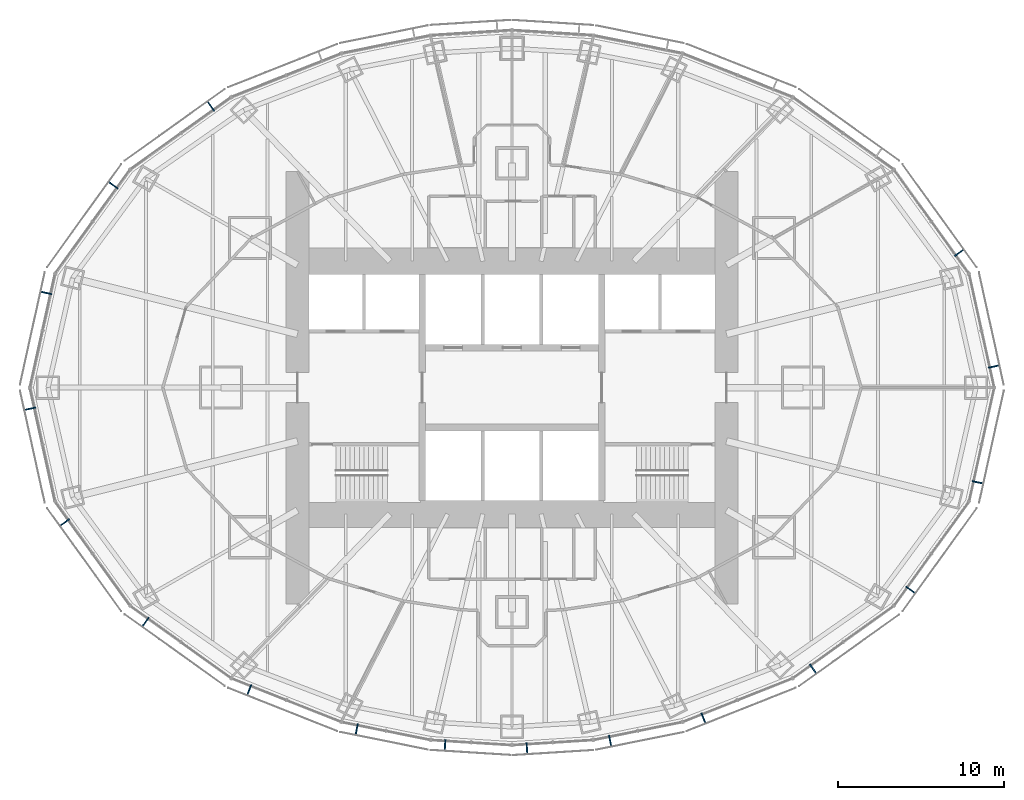
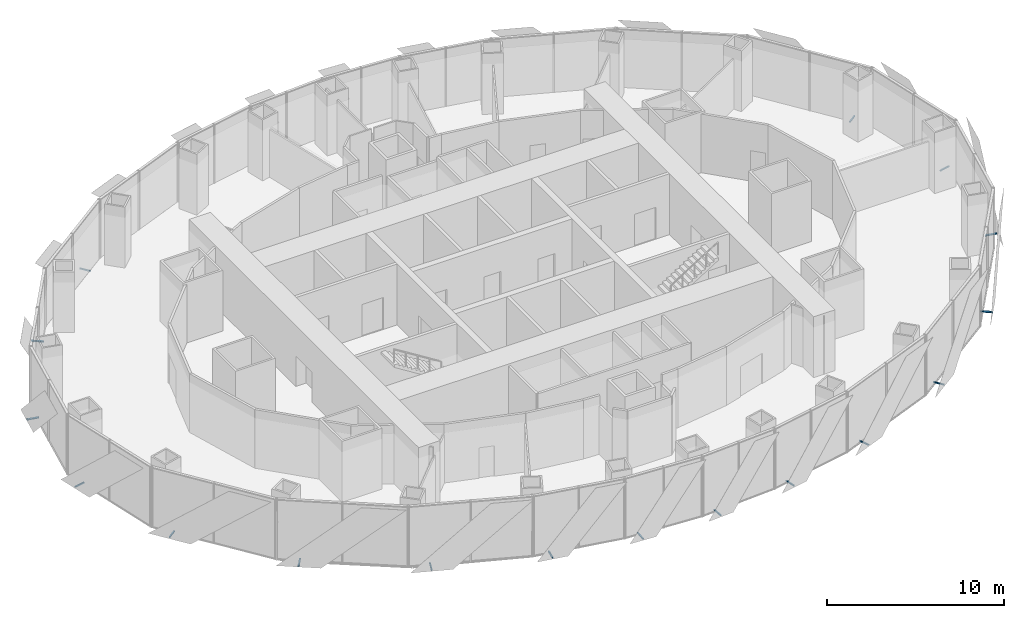
# One storey, part 14 of 18: 17 discrete accessories.
"""IFC4 building model written with IfcOpenShell, lengths in metres."""

from ifc_helpers import new_model, si_unit, direction, frame, origin, origin_2d, place, context, subcontext, project, spatial, rectangle, extrude, element, save


model = new_model("IFC4")

# Units and contexts
model_context = context("Model", 3, precision=1e-05, world=origin(), true_north=direction((0.0, 1.0)))
body_context = subcontext(model_context, "Body", "Model", "MODEL_VIEW")
ifc_project = project(units=[si_unit("LENGTHUNIT", "METRE"), si_unit("AREAUNIT", "SQUARE_METRE"), si_unit("VOLUMEUNIT", "CUBIC_METRE"), si_unit("PLANEANGLEUNIT", "RADIAN"), si_unit("MASSUNIT", "GRAM", prefix="KILO")], contexts=[model_context])

# Site, building, storey
site_placement = place(None, origin())
site = spatial("IfcSite", under=ifc_project, at=site_placement, CompositionType="ELEMENT")
building_placement = place(site_placement, origin())
building = spatial("IfcBuilding", under=site, at=building_placement, Name="Lantaw Convention Tower", CompositionType="ELEMENT")
storey_placement = place(building_placement, frame((0.0, 0.0, 180.39990234375)))
storey = spatial("IfcBuildingStorey", under=building, at=storey_placement, Name="L42", CompositionType="ELEMENT", Elevation=180.39990234375)

# Discrete accessories
for number, where, z_axis, x_axis, name in (
    (1, (28.98486328125, 1.269775390625, -0.114990234375), (0.0, 0.0, 1.0), (-0.215546166174, 0.9764936509, 0.0), "Screen bracket"),
    (2, (26.900146484375, 8.111572265625, -0.114990234375), (0.0, 0.0, 1.0), (-0.584512597221, 0.811384633629, 0.0), "Screen bracket"),
    (3, (-18.10791015625, 16.922607421875, -0.114990234375), (0.0, 0.0, 1.0), (-0.813208325995, -0.581972695693, 0.0), "Screen bracket"),
    (4, (-23.9765625, 12.169677734375, -0.114990234375), (0.0, 0.0, 1.0), (-0.584512597221, -0.811384633629, 0.0), "Screen bracket"),
    (5, (-28.008056640625, 5.6953125, -0.114990234375), (0.0, 0.0, 1.0), (-0.215546166174, -0.9764936509, 0.0), "Screen bracket"),
    (6, (-28.98486328125, -1.269775390625, -0.114990234375), (0.0, 0.0, 1.0), (0.215546166174, -0.9764936509, 0.0), "Screen bracket"),
    (7, (-26.900146484375, -8.111572265625, -0.114990234375), (0.0, 0.0, 1.0), (0.584512597221, -0.811384633629, 0.0), "Screen bracket"),
    (8, (-22.044189453125, -14.10546875, -0.114990234375), (0.0, 0.0, 1.0), (0.813208325995, -0.581972695693, 0.0), "Screen bracket"),
    (9, (-15.802978515625, -18.18798828125, -0.114990234375), (0.0, 0.0, 1.0), (0.929547687544, -0.368701907483, 0.0), "Screen bracket"),
    (10, (-9.339599609375, -20.56005859375, -0.114990234375), (0.0, 0.0, 1.0), (0.980301514912, -0.197506809659, 0.0), "Screen bracket"),
    (11, (-4.027099609375, -21.505859375, -0.114990234375), (0.0, 0.0, 1.0), (0.998022035978, -0.062865059466, 0.0), "Screen bracket"),
    (12, (0.89794921875, -21.702880859375, -0.114990234375), (0.0, 0.0, 1.0), (0.998022035978, 0.062865059466, 0.0), "Screen bracket"),
    (13, (5.903076171875, -21.25244140625, -0.114990234375), (0.0, 0.0, 1.0), (0.980301514912, 0.197506809659, 0.0), "Screen bracket"),
    (14, (11.517822265625, -19.887939453125, -0.114990234375), (0.0, 0.0, 1.0), (0.929547687544, 0.368701907483, 0.0), "Screen bracket"),
    (15, (18.10791015625, -16.922607421875, -0.114990234375), (0.0, 0.0, 1.0), (0.813208325995, 0.581972695693, 0.0), "Screen bracket"),
    (16, (23.9765625, -12.169677734375, -0.114990234375), (0.0, 0.0, 1.0), (0.584512597221, 0.811384633629, 0.0), "Screen bracket"),
    (17, (28.008056640625, -5.6953125, -0.114990234375), (0.0, 0.0, 1.0), (0.215546166174, 0.9764936509, 0.0), "Screen bracket"),
):
    element("IfcDiscreteAccessory", number, at=place(storey_placement, frame(where, z_axis=z_axis, x_axis=x_axis)), inside=storey, Name=name, PredefinedType="BRACKET", context=body_context, shape_type="SweptSolid", body=[
        extrude(rectangle(XDim=0.080078125, YDim=0.68798828125, at=origin_2d()), origin(), (0.0, 0.0, 1.0), 0.080078125),
    ])

save(model, "model.ifc")
